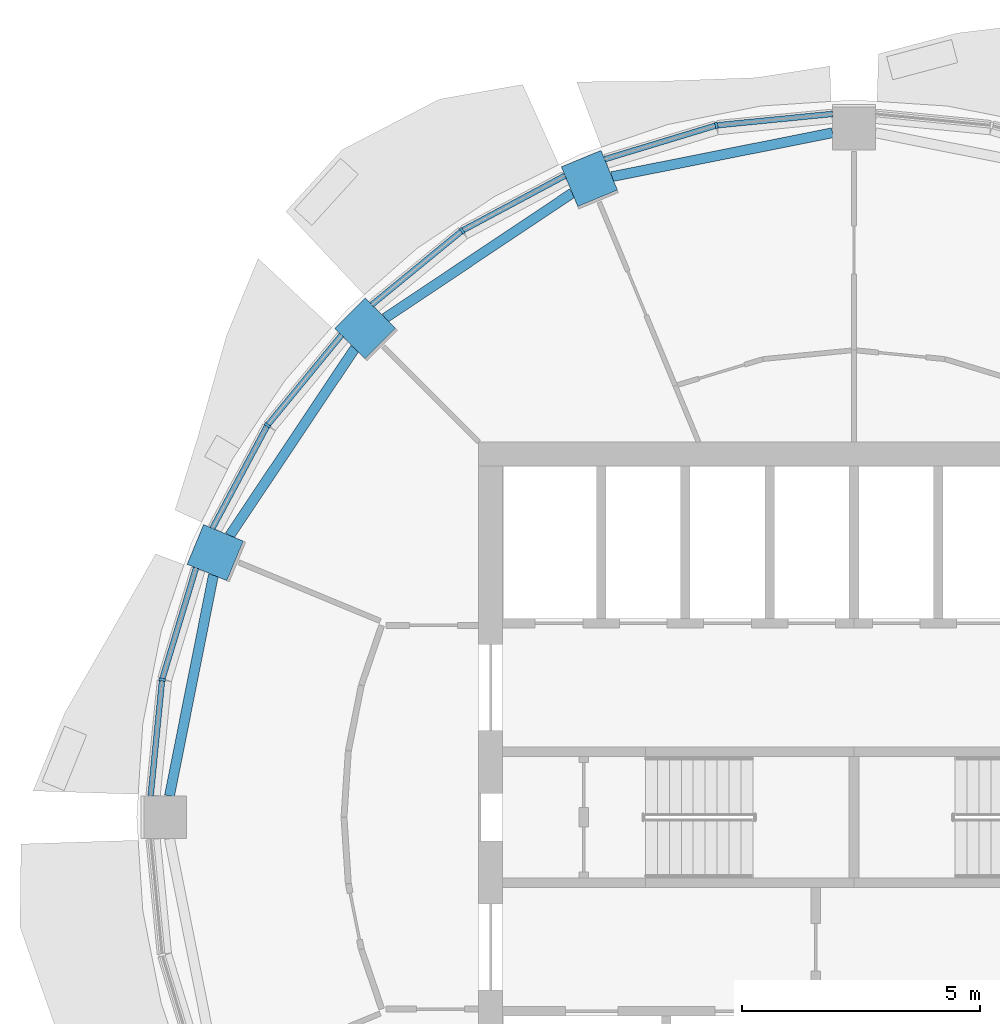
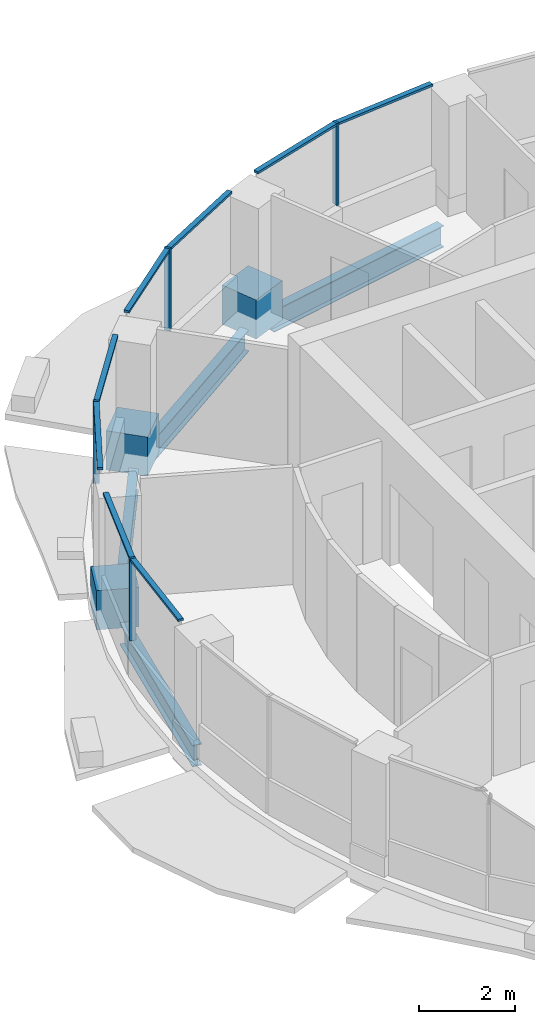
# One storey, part 4 of 14: 15 members, 4 beams, 4 elements without a shape of their own.
"""IFC4 building model written with IfcOpenShell, lengths in metres."""

from ifc_helpers import new_model, si_unit, direction, frame, origin, origin_2d, place, context, subcontext, project, spatial, rectangle, i_section, extrude, material, material_profile, profile_set, type_object, element, aggregate, save


model = new_model("IFC4")

# Units and contexts
model_context = context("Model", 3, precision=1e-05, world=origin(), true_north=direction((0.0, 1.0)))
body_context = subcontext(model_context, "Body", "Model", "MODEL_VIEW")
ifc_project = project(units=[si_unit("LENGTHUNIT", "METRE"), si_unit("AREAUNIT", "SQUARE_METRE"), si_unit("VOLUMEUNIT", "CUBIC_METRE"), si_unit("PLANEANGLEUNIT", "RADIAN"), si_unit("MASSUNIT", "GRAM", prefix="KILO")], contexts=[model_context])

# Site, building, storey
site_placement = place(None, origin())
site = spatial("IfcSite", under=ifc_project, at=site_placement, CompositionType="ELEMENT")
building_placement = place(site_placement, origin())
building = spatial("IfcBuilding", under=site, at=building_placement, Name="Polderwave Tower", CompositionType="ELEMENT")
storey_placement = place(building_placement, frame((0.0, 0.0, 227.85009765625)))
storey = spatial("IfcBuildingStorey", under=building, at=storey_placement, Name="L62", CompositionType="ELEMENT", Elevation=227.85009765625)

# Curtain wall, member
ifc_material_1 = material(Name="Aluminium 6063-T6 and glass", Category="aluminium")
curtain_wall_type = type_object("IfcCurtainWallType", Name="Office ribbon glazing wall", PredefinedType="NOTDEFINED", material=ifc_material_1)
curtain_wall_1_placement = place(storey_placement, origin())
curtain_wall_1 = element("IfcCurtainWall", 1, at=curtain_wall_1_placement, inside=storey, type_object=curtain_wall_type, Name="CW3 L62 04", PredefinedType="NOTDEFINED")
ifc_material_2 = material(Name="Aluminium 6063-T6", Category="aluminium")
ifc_material_profile_1 = material_profile(ifc_material_2, rectangle(XDim=0.139892578125, YDim=0.054931640625, at=origin_2d()), Name="AL 55x140")
ifc_profile_set_1 = profile_set([ifc_material_profile_1], Name="Aluminium 6063-T6")
member_type_1 = type_object("IfcMemberType", Name="Office ribbon glazing mullion 55x140", PredefinedType="MULLION", material=ifc_profile_set_1)
member_1_placement = place(storey_placement, frame((-2.886962890625, 14.51611328125, 0.89990234375), z_axis=(0.0, 0.0, 1.0), x_axis=(0.195076627651, -0.980788004282, 0.0)))
member_1 = element("IfcMember", 2, at=member_1_placement, type_object=member_type_1, Name="CW3 mullion 1", PredefinedType="MULLION", context=body_context, shape_type="SweptSolid", body=[
    extrude(rectangle(XDim=0.139892578125, YDim=0.054931640625, at=origin_2d()), origin(), (0.0, 0.0, 1.0), 2.10009765625),
])

curtain_wall_2_placement = place(storey_placement, origin())
curtain_wall_2 = element("IfcCurtainWall", 3, at=curtain_wall_2_placement, inside=storey, type_object=curtain_wall_type, Name="CW3 L62 05", PredefinedType="NOTDEFINED")
member_2_placement = place(storey_placement, frame((-8.221923828125, 12.305908203125, 0.89990234375), z_axis=(0.0, 0.0, 1.0), x_axis=(0.555520891641, -0.83150257904, 0.0)))
member_2 = element("IfcMember", 4, at=member_2_placement, type_object=member_type_1, Name="CW3 mullion 1", PredefinedType="MULLION", context=body_context, shape_type="SweptSolid", body=[
    extrude(rectangle(XDim=0.139892578125, YDim=0.054931640625, at=origin_2d()), origin(), (0.0, 0.0, 1.0), 2.10009765625),
])

curtain_wall_3_placement = place(storey_placement, origin())
curtain_wall_3 = element("IfcCurtainWall", 5, at=curtain_wall_3_placement, inside=storey, type_object=curtain_wall_type, Name="CW3 L62 06", PredefinedType="NOTDEFINED")
member_3_placement = place(storey_placement, frame((-12.305908203125, 8.221923828125, 0.89990234375), z_axis=(0.0, 0.0, 1.0), x_axis=(0.83150257904, -0.555520891641, 0.0)))
member_3 = element("IfcMember", 6, at=member_3_placement, type_object=member_type_1, Name="CW3 mullion 1", PredefinedType="MULLION", context=body_context, shape_type="SweptSolid", body=[
    extrude(rectangle(XDim=0.139892578125, YDim=0.054931640625, at=origin_2d()), origin(), (0.0, 0.0, 1.0), 2.10009765625),
])

curtain_wall_4_placement = place(storey_placement, origin())
curtain_wall_4 = element("IfcCurtainWall", 7, at=curtain_wall_4_placement, inside=storey, type_object=curtain_wall_type, Name="CW3 L62 07", PredefinedType="NOTDEFINED")
member_4_placement = place(storey_placement, frame((-14.51611328125, 2.886962890625, 0.89990234375), z_axis=(0.0, 0.0, 1.0), x_axis=(0.980788004282, -0.195076627651, 0.0)))
member_4 = element("IfcMember", 8, at=member_4_placement, type_object=member_type_1, Name="CW3 mullion 1", PredefinedType="MULLION", context=body_context, shape_type="SweptSolid", body=[
    extrude(rectangle(XDim=0.139892578125, YDim=0.054931640625, at=origin_2d()), origin(), (0.0, 0.0, 1.0), 2.10009765625),
])

# Member
ifc_material_profile_2 = material_profile(ifc_material_2, rectangle(XDim=0.1201171875, YDim=0.06005859375, at=origin_2d()), Name="AL 60x120")
ifc_profile_set_2 = profile_set([ifc_material_profile_2], Name="Aluminium 6063-T6")
member_type_2 = type_object("IfcMemberType", Name="Office ribbon glazing transom 60x120", PredefinedType="USERDEFINED", material=ifc_profile_set_2)
member_5_placement = place(storey_placement, frame((-0.449951171875, 14.756103515625, 2.969970703125), z_axis=(-0.995185809994, -0.098006140559, 0.0), x_axis=(0.098006140559, -0.995185809994, 0.0)))
member_5 = element("IfcMember", 9, at=member_5_placement, type_object=member_type_2, Name="CW3 transom 1", ObjectType="TRANSOM", PredefinedType="USERDEFINED", context=body_context, shape_type="SweptSolid", body=[
    extrude(rectangle(XDim=0.1201171875, YDim=0.06005859375, at=origin_2d()), origin(), (0.0, 0.0, 1.0), 2.42138671875),
])

member_6_placement = place(storey_placement, frame((-2.913330078125, 14.508056640625, 2.969970703125), z_axis=(-0.956931096539, -0.290315133049, 0.0), x_axis=(0.290315133049, -0.956931096539, 0.0)))
member_6 = element("IfcMember", 10, at=member_6_placement, type_object=member_type_2, Name="CW3 transom 2", ObjectType="TRANSOM", PredefinedType="USERDEFINED", context=body_context, shape_type="SweptSolid", body=[
    extrude(rectangle(XDim=0.1201171875, YDim=0.06005859375, at=origin_2d()), origin(), (0.0, 0.0, 1.0), 2.421875),
])

aggregate(curtain_wall_1, [member_1, member_5, member_6])

member_7_placement = place(storey_placement, frame((-6.06298828125, 13.4599609375, 2.969970703125), z_axis=(-0.881953356379, -0.471336691944, 0.0), x_axis=(0.471336691944, -0.881953356379, 0.0)))
member_7 = element("IfcMember", 11, at=member_7_placement, type_object=member_type_2, Name="CW3 transom 1", ObjectType="TRANSOM", PredefinedType="USERDEFINED", context=body_context, shape_type="SweptSolid", body=[
    extrude(rectangle(XDim=0.1201171875, YDim=0.06005859375, at=origin_2d()), origin(), (0.0, 0.0, 1.0), 2.42041015625),
])

member_8_placement = place(storey_placement, frame((-8.243408203125, 12.28857421875, 2.969970703125), z_axis=(-0.773040420429, -0.634356767429, 0.0), x_axis=(0.634356767429, -0.773040420429, 0.0)))
member_8 = element("IfcMember", 12, at=member_8_placement, type_object=member_type_2, Name="CW3 transom 2", ObjectType="TRANSOM", PredefinedType="USERDEFINED", context=body_context, shape_type="SweptSolid", body=[
    extrude(rectangle(XDim=0.1201171875, YDim=0.06005859375, at=origin_2d()), origin(), (0.0, 0.0, 1.0), 2.42236328125),
])

aggregate(curtain_wall_2, [member_2, member_7, member_8])

member_9_placement = place(storey_placement, frame((-10.751953125, 10.115966796875, 2.969970703125), z_axis=(-0.634356767429, -0.773040420429, 0.0), x_axis=(0.773040420429, -0.634356767429, 0.0)))
member_9 = element("IfcMember", 13, at=member_9_placement, type_object=member_type_2, Name="CW3 transom 1", ObjectType="TRANSOM", PredefinedType="USERDEFINED", context=body_context, shape_type="SweptSolid", body=[
    extrude(rectangle(XDim=0.1201171875, YDim=0.06005859375, at=origin_2d()), origin(), (0.0, 0.0, 1.0), 2.42236328125),
])

member_10_placement = place(storey_placement, frame((-12.319091796875, 8.19775390625, 2.969970703125), z_axis=(-0.471336691944, -0.881953356379, 0.0), x_axis=(0.881953356379, -0.471336691944, 0.0)))
member_10 = element("IfcMember", 14, at=member_10_placement, type_object=member_type_2, Name="CW3 transom 2", ObjectType="TRANSOM", PredefinedType="USERDEFINED", context=body_context, shape_type="SweptSolid", body=[
    extrude(rectangle(XDim=0.1201171875, YDim=0.06005859375, at=origin_2d()), origin(), (0.0, 0.0, 1.0), 2.42041015625),
])

aggregate(curtain_wall_3, [member_3, member_9, member_10])

member_11_placement = place(storey_placement, frame((-13.804931640625, 5.23095703125, 2.969970703125), z_axis=(-0.290315133049, -0.956931096539, 0.0), x_axis=(0.956931096539, -0.290315133049, 0.0)))
member_11 = element("IfcMember", 15, at=member_11_placement, type_object=member_type_2, Name="CW3 transom 1", ObjectType="TRANSOM", PredefinedType="USERDEFINED", context=body_context, shape_type="SweptSolid", body=[
    extrude(rectangle(XDim=0.1201171875, YDim=0.06005859375, at=origin_2d()), origin(), (0.0, 0.0, 1.0), 2.421875),
])

member_12_placement = place(storey_placement, frame((-14.518798828125, 2.859619140625, 2.969970703125), z_axis=(-0.098006140559, -0.995185809994, 0.0), x_axis=(0.995185809994, -0.098006140559, 0.0)))
member_12 = element("IfcMember", 16, at=member_12_placement, type_object=member_type_2, Name="CW3 transom 2", ObjectType="TRANSOM", PredefinedType="USERDEFINED", context=body_context, shape_type="SweptSolid", body=[
    extrude(rectangle(XDim=0.1201171875, YDim=0.06005859375, at=origin_2d()), origin(), (0.0, 0.0, 1.0), 2.42138671875),
])

aggregate(curtain_wall_4, [member_4, member_11, member_12])

# Members
ifc_material_3 = material(Name="Concrete C60/75", Category="concrete")
ifc_material_profile_3 = material_profile(ifc_material_3, rectangle(XDim=0.89990234375, YDim=0.89990234375, at=origin_2d()), Name="RC 900x900")
ifc_profile_set_3 = profile_set([ifc_material_profile_3], Name="Concrete C60/75")
member_type_3 = type_object("IfcMemberType", Name="RC NODE 900x900 C60/75", PredefinedType="POST", material=ifc_profile_set_3)
for number, where, z_axis, x_axis, name in (
    (17, (-5.55126953125, 13.40185546875, -0.5), (0.0, 0.0, 1.0), (-0.382683432365, 0.923879532511, 0.0), "Ring column node 06"),
    (18, (-10.25732421875, 10.25732421875, -0.5), (0.0, 0.0, 1.0), (-0.707106781187, 0.707106781187, 0.0), "Ring column node 07"),
    (19, (-13.40185546875, 5.55126953125, -0.5), (0.0, 0.0, 1.0), (-0.923879532511, 0.382683432365, 0.0), "Ring column node 08"),
):
    element("IfcMember", number, at=place(storey_placement, frame(where, z_axis=z_axis, x_axis=x_axis)), inside=storey, type_object=member_type_3, Name=name, PredefinedType="POST", context=body_context, shape_type="SweptSolid", body=[
        extrude(rectangle(XDim=0.89990234375, YDim=0.89990234375, at=origin_2d()), origin(), (0.0, 0.0, 1.0), 1.0),
    ])

# Beams
ifc_material_4 = material(Name="Steel S355", Category="steel")
ifc_material_profile_4 = material_profile(ifc_material_4, i_section(OverallWidth=0.2099609375, OverallDepth=0.550048828125, WebThickness=0.010986328125, FlangeThickness=0.01708984375, at=origin_2d()), Name="IPE 550")
ifc_profile_set_4 = profile_set([ifc_material_profile_4], Name="Steel S355")
beam_type = type_object("IfcBeamType", Name="RING BEAM IPE 550", PredefinedType="BEAM", material=ifc_profile_set_4)
beam_1_placement = place(storey_placement, frame((-0.449951171875, 14.360595703125, -0.625), z_axis=(-0.980777106964, -0.195131408172, 0.0), x_axis=(0.195131408172, -0.980777106964, 0.0)))
element("IfcBeam", 20, at=beam_1_placement, inside=storey, type_object=beam_type, Name="ST-RB-L62-04", PredefinedType="BEAM", context=body_context, shape_type="SweptSolid", body=[
    extrude(i_section(OverallWidth=0.2099609375, OverallDepth=0.550048828125, WebThickness=0.010986328125, FlangeThickness=0.01708984375, at=origin_2d()), origin(), (0.0, 0.0, 1.0), 4.720703125),
])
for number, where, z_axis, x_axis, name in (
    (21, (-5.911376953125, 13.09521484375, -0.625), (-0.831461005968, -0.555583113094, 0.0), (0.555583113094, -0.831461005968, 0.0), "ST-RB-L62-05"),
    (22, (-10.47265625, 9.836181640625, -0.625), (-0.555583113094, -0.831461005968, 0.0), (0.831461005968, -0.555583113094, 0.0), "ST-RB-L62-06"),
):
    element("IfcBeam", number, at=place(storey_placement, frame(where, z_axis=z_axis, x_axis=x_axis)), inside=storey, type_object=beam_type, Name=name, PredefinedType="BEAM", context=body_context, shape_type="SweptSolid", body=[
        extrude(i_section(OverallWidth=0.2099609375, OverallDepth=0.550048828125, WebThickness=0.010986328125, FlangeThickness=0.01708984375, at=origin_2d()), origin(), (0.0, 0.0, 1.0), 4.720458984375),
    ])
beam_2_placement = place(storey_placement, frame((-13.439453125, 5.079833984375, -0.625), z_axis=(-0.195131408172, -0.980777106964, 0.0), x_axis=(0.980777106964, -0.195131408172, 0.0)))
element("IfcBeam", 23, at=beam_2_placement, inside=storey, type_object=beam_type, Name="ST-RB-L62-07", PredefinedType="BEAM", context=body_context, shape_type="SweptSolid", body=[
    extrude(i_section(OverallWidth=0.2099609375, OverallDepth=0.550048828125, WebThickness=0.010986328125, FlangeThickness=0.01708984375, at=origin_2d()), origin(), (0.0, 0.0, 1.0), 4.720703125),
])

save(model, "model.ifc")
